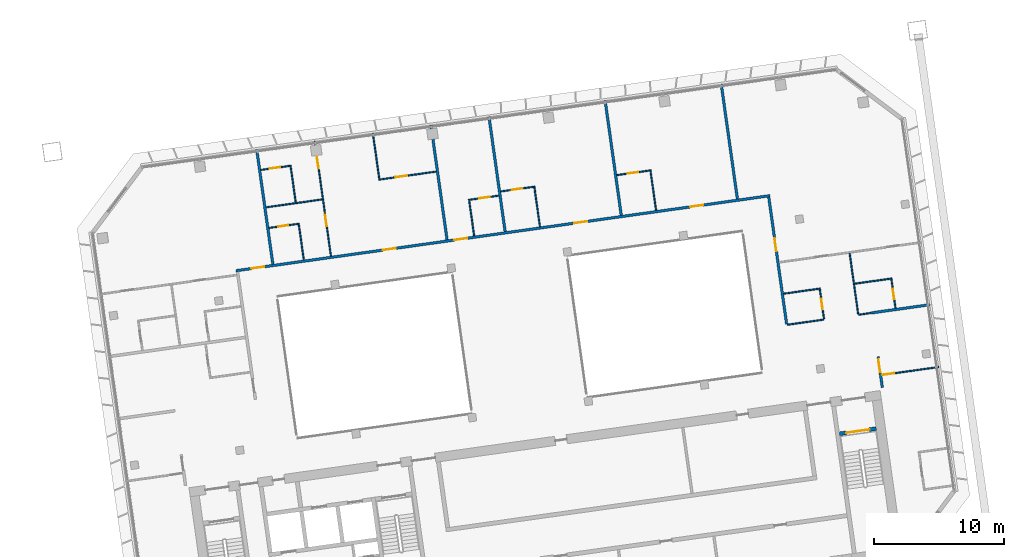
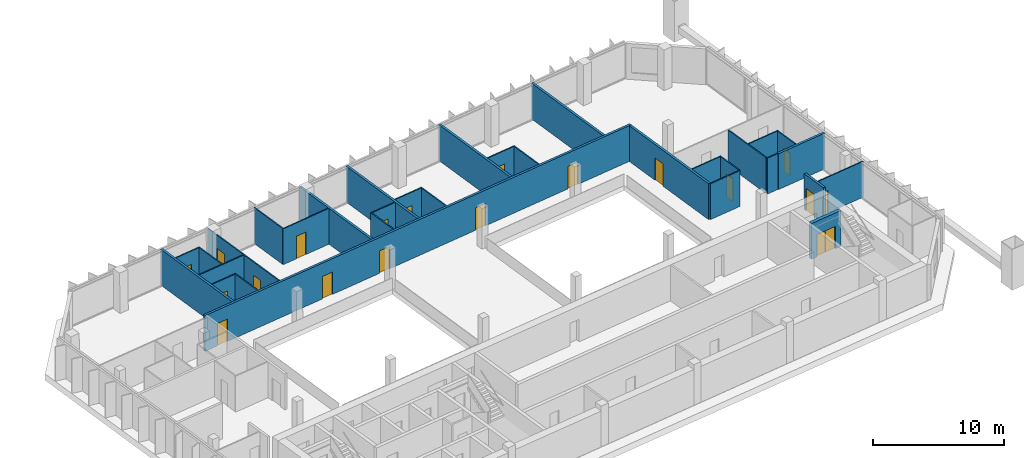
# One storey, part 23 of 31: 32 walls, 19 doors, 19 openings.
"""IFC4 building model written with IfcOpenShell, lengths in metres."""

from ifc_helpers import new_model, si_unit, direction, frame, frame_2d, origin, place, context, subcontext, project, spatial, rectangle, extrude, material, layer, layer_set, type_object, element, fill, save


model = new_model("IFC4")

# Units and contexts
model_context = context("Model", 3, precision=1e-05, world=origin(), true_north=direction((0.0, 1.0)))
body_context = subcontext(model_context, "Body", "Model", "MODEL_VIEW")
ifc_project = project(units=[si_unit("LENGTHUNIT", "METRE"), si_unit("AREAUNIT", "SQUARE_METRE"), si_unit("VOLUMEUNIT", "CUBIC_METRE"), si_unit("PLANEANGLEUNIT", "RADIAN"), si_unit("MASSUNIT", "GRAM", prefix="KILO")], contexts=[model_context])

# Site, building, storey
site_placement = place(None, origin())
site = spatial("IfcSite", under=ifc_project, at=site_placement, CompositionType="ELEMENT")
building_placement = place(site_placement, origin())
building = spatial("IfcBuilding", under=site, at=building_placement, Name="Mirante Cascada Hotel Towers", CompositionType="ELEMENT")
storey_placement = place(building_placement, frame((0.0, 0.0, 157.4)))
storey = spatial("IfcBuildingStorey", under=building, at=storey_placement, Name="L36", CompositionType="ELEMENT", Elevation=157.4)

# Wall
ifc_material_1 = material(Name="Fire-rated plasterboard on metal studs")
ifc_layer_1 = layer(ifc_material_1, 0.2)
ifc_layer_set_1 = layer_set([ifc_layer_1], Name="Compartment wall 200 EI 120")
wall_type_1 = type_object("IfcWallType", Name="Compartment wall 200 EI 120", PredefinedType="PARTITIONING", material=ifc_layer_set_1)
wall_1_placement = place(storey_placement, frame((92.3869, 6.7679, 0.0), z_axis=(0.0, 0.0, 1.0), x_axis=(-0.9902674, -0.1391779, 0.0)))
element("IfcWall", 1, at=wall_1_placement, inside=storey, type_object=wall_type_1, Name="Wall 2-L36-10", PredefinedType="PARTITIONING", context=body_context, shape_type="SweptSolid", body=[
    extrude(rectangle(XDim=4.5, YDim=0.2, at=frame_2d((2.25, 0.0))), origin(), (0.0, 0.0, 1.0), 3.35),
])

# Wall, openings, doors
wall_2_placement = place(storey_placement, frame((39.1051, 9.3779, 0.0), z_axis=(0.0, 0.0, 1.0), x_axis=(0.990268, 0.1391739, 0.0)))
wall_2 = element("IfcWall", 2, at=wall_2_placement, inside=storey, type_object=wall_type_1, Name="Wall 2-L36-19", PredefinedType="PARTITIONING", context=body_context, shape_type="SweptSolid", body=[
    extrude(rectangle(XDim=41.4, YDim=0.2, at=frame_2d((20.7, 0.0))), origin(), (0.0, 0.0, 1.0), 3.35),
])
opening_1_placement = place(wall_2_placement, frame((1.1851, 0.0, 0.0)))
opening_1 = element("IfcOpeningElement", 3, at=opening_1_placement, cuts=wall_2, Name="Opening D2-L36-07", PredefinedType="OPENING", context=body_context, shape_type="SweptSolid", body=[
    extrude(rectangle(XDim=1.0, YDim=2.1, at=frame_2d((0.5, 1.05))), frame((0.0, 0.1, 0.0), z_axis=(0.0, -1.0, 0.0), x_axis=(1.0, 0.0, 0.0)), (0.0, 0.0, 1.0), 0.2),
])
opening_2_placement = place(wall_2_placement, frame((11.3762, 0.0, 0.0)))
opening_2 = element("IfcOpeningElement", 4, at=opening_2_placement, cuts=wall_2, Name="Opening D2-L36-08", PredefinedType="OPENING", context=body_context, shape_type="SweptSolid", body=[
    extrude(rectangle(XDim=1.0, YDim=2.1, at=frame_2d((0.5, 1.05))), frame((0.0, 0.1, 0.0), z_axis=(0.0, -1.0, 0.0), x_axis=(1.0, 0.0, 0.0)), (0.0, 0.0, 1.0), 0.2),
])
opening_3_placement = place(wall_2_placement, frame((16.9306, 0.0, 0.0)))
opening_3 = element("IfcOpeningElement", 5, at=opening_3_placement, cuts=wall_2, Name="Opening D2-L36-09", PredefinedType="OPENING", context=body_context, shape_type="SweptSolid", body=[
    extrude(rectangle(XDim=1.0, YDim=2.1, at=frame_2d((0.5, 1.05))), frame((0.0, 0.1, 0.0), z_axis=(0.0, -1.0, 0.0), x_axis=(1.0, 0.0, 0.0)), (0.0, 0.0, 1.0), 0.2),
])
opening_4_placement = place(wall_2_placement, frame((26.2351, 0.0, 0.0)))
opening_4 = element("IfcOpeningElement", 6, at=opening_4_placement, cuts=wall_2, Name="Opening D2-L36-10", PredefinedType="OPENING", context=body_context, shape_type="SweptSolid", body=[
    extrude(rectangle(XDim=1.0, YDim=2.1, at=frame_2d((0.5, 1.05))), frame((0.0, 0.1, 0.0), z_axis=(0.0, -1.0, 0.0), x_axis=(1.0, 0.0, 0.0)), (0.0, 0.0, 1.0), 0.2),
])
opening_5_placement = place(wall_2_placement, frame((35.241, 0.0, 0.0)))
opening_5 = element("IfcOpeningElement", 7, at=opening_5_placement, cuts=wall_2, Name="Opening D2-L36-11", PredefinedType="OPENING", context=body_context, shape_type="SweptSolid", body=[
    extrude(rectangle(XDim=1.0, YDim=2.1, at=frame_2d((0.5, 1.05))), frame((0.0, 0.1, 0.0), z_axis=(0.0, -1.0, 0.0), x_axis=(1.0, 0.0, 0.0)), (0.0, 0.0, 1.0), 0.2),
])
ifc_material_2 = material(Name="Fire-rated timber door leaf", Category="wood")
door_type_1 = type_object("IfcDoorType", Name="Entrance door DG1 1000x2100 EI 60", OperationType="SINGLE_SWING_LEFT", PredefinedType="DOOR", material=ifc_material_2)
door_1_placement = place(opening_1_placement, origin())
door_1 = element("IfcDoor", 8, at=door_1_placement, inside=storey, type_object=door_type_1, Name="Door D2-L36-07", OperationType="SINGLE_SWING_LEFT", OverallHeight=2.1, OverallWidth=1.0, PredefinedType="DOOR", context=body_context, shape_type="SweptSolid", body=[
    extrude(rectangle(XDim=1.0, YDim=2.1, at=frame_2d((0.5, 1.05))), frame((0.0, 0.025, 0.0), z_axis=(0.0, -1.0, 0.0), x_axis=(1.0, 0.0, 0.0)), (0.0, 0.0, 1.0), 0.05),
])
fill(opening_1, door_1)
door_2_placement = place(opening_2_placement, origin())
door_2 = element("IfcDoor", 9, at=door_2_placement, inside=storey, type_object=door_type_1, Name="Door D2-L36-08", OperationType="SINGLE_SWING_LEFT", OverallHeight=2.1, OverallWidth=1.0, PredefinedType="DOOR", context=body_context, shape_type="SweptSolid", body=[
    extrude(rectangle(XDim=1.0, YDim=2.1, at=frame_2d((0.5, 1.05))), frame((0.0, 0.025, 0.0), z_axis=(0.0, -1.0, 0.0), x_axis=(1.0, 0.0, 0.0)), (0.0, 0.0, 1.0), 0.05),
])
fill(opening_2, door_2)
door_3_placement = place(opening_3_placement, origin())
door_3 = element("IfcDoor", 10, at=door_3_placement, inside=storey, type_object=door_type_1, Name="Door D2-L36-09", OperationType="SINGLE_SWING_LEFT", OverallHeight=2.1, OverallWidth=1.0, PredefinedType="DOOR", context=body_context, shape_type="SweptSolid", body=[
    extrude(rectangle(XDim=1.0, YDim=2.1, at=frame_2d((0.5, 1.05))), frame((0.0, 0.025, 0.0), z_axis=(0.0, -1.0, 0.0), x_axis=(1.0, 0.0, 0.0)), (0.0, 0.0, 1.0), 0.05),
])
fill(opening_3, door_3)
door_4_placement = place(opening_4_placement, origin())
door_4 = element("IfcDoor", 11, at=door_4_placement, inside=storey, type_object=door_type_1, Name="Door D2-L36-10", OperationType="SINGLE_SWING_LEFT", OverallHeight=2.1, OverallWidth=1.0, PredefinedType="DOOR", context=body_context, shape_type="SweptSolid", body=[
    extrude(rectangle(XDim=1.0, YDim=2.1, at=frame_2d((0.5, 1.05))), frame((0.0, 0.025, 0.0), z_axis=(0.0, -1.0, 0.0), x_axis=(1.0, 0.0, 0.0)), (0.0, 0.0, 1.0), 0.05),
])
fill(opening_4, door_4)
door_5_placement = place(opening_5_placement, origin())
door_5 = element("IfcDoor", 12, at=door_5_placement, inside=storey, type_object=door_type_1, Name="Door D2-L36-11", OperationType="SINGLE_SWING_LEFT", OverallHeight=2.1, OverallWidth=1.0, PredefinedType="DOOR", context=body_context, shape_type="SweptSolid", body=[
    extrude(rectangle(XDim=1.0, YDim=2.1, at=frame_2d((0.5, 1.05))), frame((0.0, 0.025, 0.0), z_axis=(0.0, -1.0, 0.0), x_axis=(1.0, 0.0, 0.0)), (0.0, 0.0, 1.0), 0.05),
])
fill(opening_5, door_5)

# Walls
for number, where, z_axis, x_axis, name in (
    (13, (40.6948, 18.6898, 0.0), (0.0, 0.0, 1.0), (0.1391794, -0.9902672, 0.0), "Wall 2-L36-34"),
    (14, (55.311, 11.7565, 0.0), (0.0, 0.0, 1.0), (-0.1391684, 0.9902687, 0.0), "Wall 2-L36-39"),
    (15, (59.7701, 12.3832, 0.0), (0.0, 0.0, 1.0), (-0.1391794, 0.9902672, 0.0), "Wall 2-L36-41"),
):
    element("IfcWall", number, at=place(storey_placement, frame(where, z_axis=z_axis, x_axis=x_axis)), inside=storey, type_object=wall_type_1, Name=name, PredefinedType="PARTITIONING", context=body_context, shape_type="SweptSolid", body=[
        extrude(rectangle(XDim=8.9, YDim=0.2, at=frame_2d((4.45, 0.0))), origin(), (0.0, 0.0, 1.0), 3.35),
    ])
wall_3_placement = place(storey_placement, frame((68.6884, 13.6366, 0.0), z_axis=(0.0, 0.0, 1.0), x_axis=(-0.13917, 0.9902685, 0.0)))
element("IfcWall", 16, at=wall_3_placement, inside=storey, type_object=wall_type_1, Name="Wall 2-L36-43", PredefinedType="PARTITIONING", context=body_context, shape_type="SweptSolid", body=[
    extrude(rectangle(XDim=8.8999, YDim=0.2, at=frame_2d((4.45, 0.0))), origin(), (0.0, 0.0, 1.0), 3.35),
])
wall_4_placement = place(storey_placement, frame((77.6067, 14.8899, 0.0), z_axis=(0.0, 0.0, 1.0), x_axis=(-0.1391794, 0.9902672, 0.0)))
element("IfcWall", 17, at=wall_4_placement, inside=storey, type_object=wall_type_1, Name="Wall 2-L36-45", PredefinedType="PARTITIONING", context=body_context, shape_type="SweptSolid", body=[
    extrude(rectangle(XDim=8.9, YDim=0.2, at=frame_2d((4.45, 0.0))), origin(), (0.0, 0.0, 1.0), 3.35),
])

# Wall, opening, door
wall_5_placement = place(storey_placement, frame((80.0171, 15.0267, 0.0), z_axis=(0.0, 0.0, 1.0), x_axis=(0.1391781, -0.9902674, 0.0)))
wall_5 = element("IfcWall", 18, at=wall_5_placement, inside=storey, type_object=wall_type_1, Name="Wall 2-L36-46", PredefinedType="PARTITIONING", context=body_context, shape_type="SweptSolid", body=[
    extrude(rectangle(XDim=9.85, YDim=0.2, at=frame_2d((4.925, 0.0))), origin(), (0.0, 0.0, 1.0), 3.35),
])
opening_6_placement = place(wall_5_placement, frame((3.1834, 0.0, 0.0)))
opening_6 = element("IfcOpeningElement", 19, at=opening_6_placement, cuts=wall_5, Name="Opening D2-L36-26", PredefinedType="OPENING", context=body_context, shape_type="SweptSolid", body=[
    extrude(rectangle(XDim=1.0, YDim=2.1, at=frame_2d((0.5, 1.05))), frame((0.0, 0.1, 0.0), z_axis=(0.0, -1.0, 0.0), x_axis=(1.0, 0.0, 0.0)), (0.0, 0.0, 1.0), 0.2),
])
door_6_placement = place(opening_6_placement, origin())
door_6 = element("IfcDoor", 20, at=door_6_placement, inside=storey, type_object=door_type_1, Name="Door D2-L36-26", OperationType="SINGLE_SWING_LEFT", OverallHeight=2.1, OverallWidth=1.0, PredefinedType="DOOR", context=body_context, shape_type="SweptSolid", body=[
    extrude(rectangle(XDim=1.0, YDim=2.1, at=frame_2d((0.5, 1.05))), frame((0.0, 0.025, 0.0), z_axis=(0.0, -1.0, 0.0), x_axis=(1.0, 0.0, 0.0)), (0.0, 0.0, 1.0), 0.05),
])
fill(opening_6, door_6)

wall_6_placement = place(storey_placement, frame((88.7379, 0.3981, 0.0), z_axis=(0.0, 0.0, 1.0), x_axis=(-0.1391693, 0.9902686, 0.0)))
wall_6 = element("IfcWall", 21, at=wall_6_placement, inside=storey, type_object=wall_type_1, Name="Wall 2-L36-49", PredefinedType="PARTITIONING", context=body_context, shape_type="SweptSolid", body=[
    extrude(rectangle(XDim=2.4, YDim=0.2, at=frame_2d((1.2, 0.0))), origin(), (0.0, 0.0, 1.0), 3.35),
])
opening_7_placement = place(wall_6_placement, frame((1.1833, 0.0, 0.0)))
opening_7 = element("IfcOpeningElement", 22, at=opening_7_placement, cuts=wall_6, Name="Opening D2-L36-28", PredefinedType="OPENING", context=body_context, shape_type="SweptSolid", body=[
    extrude(rectangle(XDim=1.0, YDim=2.1, at=frame_2d((0.5, 1.05))), frame((0.0, 0.1, 0.0), z_axis=(0.0, -1.0, 0.0), x_axis=(1.0, 0.0, 0.0)), (0.0, 0.0, 1.0), 0.2),
])
door_7_placement = place(opening_7_placement, frame((1.0, 0.0, 0.0), z_axis=(0.0, 0.0, 1.0), x_axis=(-1.0, 0.0, 0.0)))
door_7 = element("IfcDoor", 23, at=door_7_placement, inside=storey, type_object=door_type_1, Name="Door D2-L36-28", OperationType="SINGLE_SWING_RIGHT", OverallHeight=2.1, OverallWidth=1.0, PredefinedType="DOOR", context=body_context, shape_type="SweptSolid", body=[
    extrude(rectangle(XDim=1.0, YDim=2.1, at=frame_2d((0.5, 1.05))), frame((0.0, 0.025, 0.0), z_axis=(0.0, -1.0, 0.0), x_axis=(1.0, 0.0, 0.0)), (0.0, 0.0, 1.0), 0.05),
])
fill(opening_7, door_7)

ifc_material_3 = material(Name="Plasterboard on metal studs")
ifc_layer_2 = layer(ifc_material_3, 0.1)
ifc_layer_set_2 = layer_set([ifc_layer_2], Name="Partition 100")
wall_type_2 = type_object("IfcWallType", Name="Partition 100", PredefinedType="PARTITIONING", material=ifc_layer_set_2)
wall_7_placement = place(storey_placement, frame((93.0596, 1.9816, 0.0), z_axis=(0.0, 0.0, 1.0), x_axis=(-0.9902701, -0.1391587, 0.0)))
wall_7 = element("IfcWall", 24, at=wall_7_placement, inside=storey, type_object=wall_type_2, Name="Wall 2-L36-06", PredefinedType="PARTITIONING", context=body_context, shape_type="SweptSolid", body=[
    extrude(rectangle(XDim=4.4, YDim=0.1, at=frame_2d((2.2, 0.0))), origin(), (0.0, 0.0, 1.0), 3.35),
])
opening_8_placement = place(wall_7_placement, frame((3.45, 0.0, 0.0)))
opening_8 = element("IfcOpeningElement", 25, at=opening_8_placement, cuts=wall_7, Name="Opening D2-L36-02", PredefinedType="OPENING", context=body_context, shape_type="SweptSolid", body=[
    extrude(rectangle(XDim=0.9, YDim=2.1, at=frame_2d((0.45, 1.05))), frame((0.0, 0.05, 0.0), z_axis=(0.0, -1.0, 0.0), x_axis=(1.0, 0.0, 0.0)), (0.0, 0.0, 1.0), 0.1),
])
ifc_material_4 = material(Name="Timber door leaf", Category="wood")
door_type_2 = type_object("IfcDoorType", Name="Room door DG3 900x2100", OperationType="SINGLE_SWING_LEFT", PredefinedType="DOOR", material=ifc_material_4)
door_8_placement = place(opening_8_placement, origin())
door_8 = element("IfcDoor", 26, at=door_8_placement, inside=storey, type_object=door_type_2, Name="Door D2-L36-02", OperationType="SINGLE_SWING_LEFT", OverallHeight=2.1, OverallWidth=0.9, PredefinedType="DOOR", context=body_context, shape_type="SweptSolid", body=[
    extrude(rectangle(XDim=0.9, YDim=2.1, at=frame_2d((0.45, 1.05))), frame((0.0, 0.025, 0.0), z_axis=(0.0, -1.0, 0.0), x_axis=(1.0, 0.0, 0.0)), (0.0, 0.0, 1.0), 0.05),
])
fill(opening_8, door_8)

# Walls
wall_8_placement = place(storey_placement, frame((84.237, 5.6225, 0.0), z_axis=(0.0, 0.0, 1.0), x_axis=(-0.9902708, -0.1391534, 0.0)))
element("IfcWall", 27, at=wall_8_placement, inside=storey, type_object=wall_type_2, Name="Wall 2-L36-08", PredefinedType="PARTITIONING", context=body_context, shape_type="SweptSolid", body=[
    extrude(rectangle(XDim=2.84, YDim=0.1, at=frame_2d((1.42, 0.0))), origin(), (0.0, 0.0, 1.0), 3.35),
])
wall_9_placement = place(storey_placement, frame((86.9206, 5.9997, 0.0), z_axis=(0.0, 0.0, 1.0), x_axis=(0.9902662, 0.1391867, 0.0)))
element("IfcWall", 28, at=wall_9_placement, inside=storey, type_object=wall_type_2, Name="Wall 2-L36-09", PredefinedType="PARTITIONING", context=body_context, shape_type="SweptSolid", body=[
    extrude(rectangle(XDim=0.99, YDim=0.1, at=frame_2d((0.495, 0.0))), origin(), (0.0, 0.0, 1.0), 3.35),
])
wall_10_placement = place(storey_placement, frame((83.9822, 8.0103, 0.0), z_axis=(0.0, 0.0, 1.0), x_axis=(-0.9902656, -0.1391909, 0.0)))
element("IfcWall", 29, at=wall_10_placement, inside=storey, type_object=wall_type_2, Name="Wall 2-L36-12", PredefinedType="PARTITIONING", context=body_context, shape_type="SweptSolid", body=[
    extrude(rectangle(XDim=2.85, YDim=0.1, at=frame_2d((1.425, 0.0))), origin(), (0.0, 0.0, 1.0), 3.35),
])
wall_11_placement = place(storey_placement, frame((86.6064, 8.3791, 0.0), z_axis=(0.0, 0.0, 1.0), x_axis=(0.9902683, 0.1391714, 0.0)))
element("IfcWall", 30, at=wall_11_placement, inside=storey, type_object=wall_type_2, Name="Wall 2-L36-13", PredefinedType="PARTITIONING", context=body_context, shape_type="SweptSolid", body=[
    extrude(rectangle(XDim=2.9, YDim=0.1, at=frame_2d((1.45, 0.0))), origin(), (0.0, 0.0, 1.0), 3.35),
])

# Wall, opening, door
wall_12_placement = place(storey_placement, frame((43.8709, 12.9762, 0.0), z_axis=(0.0, 0.0, 1.0), x_axis=(-0.9902705, -0.1391561, 0.0)))
wall_12 = element("IfcWall", 31, at=wall_12_placement, inside=storey, type_object=wall_type_2, Name="Wall 2-L36-20", PredefinedType="PARTITIONING", context=body_context, shape_type="SweptSolid", body=[
    extrude(rectangle(XDim=2.25, YDim=0.1, at=frame_2d((1.125, 0.0))), origin(), (0.0, 0.0, 1.0), 3.35),
])
opening_9_placement = place(wall_12_placement, frame((0.75, 0.0, 0.0)))
opening_9 = element("IfcOpeningElement", 32, at=opening_9_placement, cuts=wall_12, Name="Opening D2-L36-12", PredefinedType="OPENING", context=body_context, shape_type="SweptSolid", body=[
    extrude(rectangle(XDim=0.8, YDim=2.1, at=frame_2d((0.4, 1.05))), frame((0.0, 0.05, 0.0), z_axis=(0.0, -1.0, 0.0), x_axis=(1.0, 0.0, 0.0)), (0.0, 0.0, 1.0), 0.1),
])
ifc_material_5 = material(Name="Timber door leaf", Category="wood")
door_type_3 = type_object("IfcDoorType", Name="Bathroom door DG4 800x2100", OperationType="SINGLE_SWING_LEFT", PredefinedType="DOOR", material=ifc_material_5)
door_9_placement = place(opening_9_placement, origin())
door_9 = element("IfcDoor", 33, at=door_9_placement, inside=storey, type_object=door_type_3, Name="Door D2-L36-12", OperationType="SINGLE_SWING_LEFT", OverallHeight=2.1, OverallWidth=0.8, PredefinedType="DOOR", context=body_context, shape_type="SweptSolid", body=[
    extrude(rectangle(XDim=0.8, YDim=2.1, at=frame_2d((0.4, 1.05))), frame((0.0, 0.025, 0.0), z_axis=(0.0, -1.0, 0.0), x_axis=(1.0, 0.0, 0.0)), (0.0, 0.0, 1.0), 0.05),
])
fill(opening_9, door_9)

wall_13_placement = place(storey_placement, frame((57.0533, 14.8289, 0.0), z_axis=(0.0, 0.0, 1.0), x_axis=(0.9902705, 0.1391561, 0.0)))
wall_13 = element("IfcWall", 34, at=wall_13_placement, inside=storey, type_object=wall_type_2, Name="Wall 2-L36-21", PredefinedType="PARTITIONING", context=body_context, shape_type="SweptSolid", body=[
    extrude(rectangle(XDim=2.25, YDim=0.1, at=frame_2d((1.125, 0.0))), origin(), (0.0, 0.0, 1.0), 3.35),
])
opening_10_placement = place(wall_13_placement, frame((0.75, 0.0, 0.0)))
opening_10 = element("IfcOpeningElement", 35, at=opening_10_placement, cuts=wall_13, Name="Opening D2-L36-13", PredefinedType="OPENING", context=body_context, shape_type="SweptSolid", body=[
    extrude(rectangle(XDim=0.8, YDim=2.1, at=frame_2d((0.4, 1.05))), frame((0.0, 0.05, 0.0), z_axis=(0.0, -1.0, 0.0), x_axis=(1.0, 0.0, 0.0)), (0.0, 0.0, 1.0), 0.1),
])
door_10_placement = place(opening_10_placement, origin())
door_10 = element("IfcDoor", 36, at=door_10_placement, inside=storey, type_object=door_type_3, Name="Door D2-L36-13", OperationType="SINGLE_SWING_LEFT", OverallHeight=2.1, OverallWidth=0.8, PredefinedType="DOOR", context=body_context, shape_type="SweptSolid", body=[
    extrude(rectangle(XDim=0.8, YDim=2.1, at=frame_2d((0.4, 1.05))), frame((0.0, 0.025, 0.0), z_axis=(0.0, -1.0, 0.0), x_axis=(1.0, 0.0, 0.0)), (0.0, 0.0, 1.0), 0.05),
])
fill(opening_10, door_10)

wall_14_placement = place(storey_placement, frame((61.9628, 15.8218, 0.0), z_axis=(0.0, 0.0, 1.0), x_axis=(-0.990267, -0.1391809, 0.0)))
wall_14 = element("IfcWall", 37, at=wall_14_placement, inside=storey, type_object=wall_type_2, Name="Wall 2-L36-22", PredefinedType="PARTITIONING", context=body_context, shape_type="SweptSolid", body=[
    extrude(rectangle(XDim=2.5499, YDim=0.1, at=frame_2d((1.275, 0.0))), origin(), (0.0, 0.0, 1.0), 3.35),
])
opening_11_placement = place(wall_14_placement, frame((0.9, 0.0, 0.0)))
opening_11 = element("IfcOpeningElement", 38, at=opening_11_placement, cuts=wall_14, Name="Opening D2-L36-14", PredefinedType="OPENING", context=body_context, shape_type="SweptSolid", body=[
    extrude(rectangle(XDim=0.8, YDim=2.1, at=frame_2d((0.4, 1.05))), frame((0.0, 0.05, 0.0), z_axis=(0.0, -1.0, 0.0), x_axis=(1.0, 0.0, 0.0)), (0.0, 0.0, 1.0), 0.1),
])
door_11_placement = place(opening_11_placement, frame((0.8, 0.0, 0.0), z_axis=(0.0, 0.0, 1.0), x_axis=(-1.0, 0.0, 0.0)))
door_11 = element("IfcDoor", 39, at=door_11_placement, inside=storey, type_object=door_type_3, Name="Door D2-L36-14", OperationType="SINGLE_SWING_RIGHT", OverallHeight=2.1, OverallWidth=0.8, PredefinedType="DOOR", context=body_context, shape_type="SweptSolid", body=[
    extrude(rectangle(XDim=0.8, YDim=2.1, at=frame_2d((0.4, 1.05))), frame((0.0, 0.025, 0.0), z_axis=(0.0, -1.0, 0.0), x_axis=(1.0, 0.0, 0.0)), (0.0, 0.0, 1.0), 0.05),
])
fill(opening_11, door_11)

wall_15_placement = place(storey_placement, frame((68.356, 16.7203, 0.0), z_axis=(0.0, 0.0, 1.0), x_axis=(0.9902677, 0.1391755, 0.0)))
wall_15 = element("IfcWall", 40, at=wall_15_placement, inside=storey, type_object=wall_type_2, Name="Wall 2-L36-23", PredefinedType="PARTITIONING", context=body_context, shape_type="SweptSolid", body=[
    extrude(rectangle(XDim=2.55, YDim=0.1, at=frame_2d((1.275, 0.0))), origin(), (0.0, 0.0, 1.0), 3.35),
])
opening_12_placement = place(wall_15_placement, frame((0.85, 0.0, 0.0)))
opening_12 = element("IfcOpeningElement", 41, at=opening_12_placement, cuts=wall_15, Name="Opening D2-L36-15", PredefinedType="OPENING", context=body_context, shape_type="SweptSolid", body=[
    extrude(rectangle(XDim=0.8, YDim=2.1, at=frame_2d((0.4, 1.05))), frame((0.0, 0.05, 0.0), z_axis=(0.0, -1.0, 0.0), x_axis=(1.0, 0.0, 0.0)), (0.0, 0.0, 1.0), 0.1),
])
door_12_placement = place(opening_12_placement, origin())
door_12 = element("IfcDoor", 42, at=door_12_placement, inside=storey, type_object=door_type_3, Name="Door D2-L36-15", OperationType="SINGLE_SWING_LEFT", OverallHeight=2.1, OverallWidth=0.8, PredefinedType="DOOR", context=body_context, shape_type="SweptSolid", body=[
    extrude(rectangle(XDim=0.8, YDim=2.1, at=frame_2d((0.4, 1.05))), frame((0.0, 0.025, 0.0), z_axis=(0.0, -1.0, 0.0), x_axis=(1.0, 0.0, 0.0)), (0.0, 0.0, 1.0), 0.05),
])
fill(opening_12, door_12)

# Wall
wall_16_placement = place(storey_placement, frame((45.7308, 14.8533, 0.0), z_axis=(0.0, 0.0, 1.0), x_axis=(-0.990269, -0.1391665, 0.0)))
element("IfcWall", 43, at=wall_16_placement, inside=storey, type_object=wall_type_2, Name="Wall 2-L36-24", PredefinedType="PARTITIONING", context=body_context, shape_type="SweptSolid", body=[
    extrude(rectangle(XDim=4.3531, YDim=0.1, at=frame_2d((2.1766, 0.0))), origin(), (0.0, 0.0, 1.0), 3.35),
])

# Wall, opening, door
wall_17_placement = place(storey_placement, frame((50.0647, 16.3713, 0.0), z_axis=(0.0, 0.0, 1.0), x_axis=(0.990269, 0.1391667, 0.0)))
wall_17 = element("IfcWall", 44, at=wall_17_placement, inside=storey, type_object=wall_type_2, Name="Wall 2-L36-25", PredefinedType="PARTITIONING", context=body_context, shape_type="SweptSolid", body=[
    extrude(rectangle(XDim=4.4529, YDim=0.1, at=frame_2d((2.2264, 0.0))), origin(), (0.0, 0.0, 1.0), 3.35),
])
opening_13_placement = place(wall_17_placement, frame((1.3003, 0.0, 0.0)))
opening_13 = element("IfcOpeningElement", 45, at=opening_13_placement, cuts=wall_17, Name="Opening D2-L36-16", PredefinedType="OPENING", context=body_context, shape_type="SweptSolid", body=[
    extrude(rectangle(XDim=0.9, YDim=2.1, at=frame_2d((0.45, 1.05))), frame((0.0, 0.05, 0.0), z_axis=(0.0, -1.0, 0.0), x_axis=(1.0, 0.0, 0.0)), (0.0, 0.0, 1.0), 0.1),
])
door_13_placement = place(opening_13_placement, frame((0.9, 0.0, 0.0), z_axis=(0.0, 0.0, 1.0), x_axis=(-1.0, 0.0, 0.0)))
door_13 = element("IfcDoor", 46, at=door_13_placement, inside=storey, type_object=door_type_2, Name="Door D2-L36-16", OperationType="SINGLE_SWING_RIGHT", OverallHeight=2.1, OverallWidth=0.9, PredefinedType="DOOR", context=body_context, shape_type="SweptSolid", body=[
    extrude(rectangle(XDim=0.9, YDim=2.1, at=frame_2d((0.45, 1.05))), frame((0.0, 0.025, 0.0), z_axis=(0.0, -1.0, 0.0), x_axis=(1.0, 0.0, 0.0)), (0.0, 0.0, 1.0), 0.05),
])
fill(opening_13, door_13)

wall_18_placement = place(storey_placement, frame((43.2446, 17.4324, 0.0), z_axis=(0.0, 0.0, 1.0), x_axis=(-0.9902705, -0.1391561, 0.0)))
wall_18 = element("IfcWall", 47, at=wall_18_placement, inside=storey, type_object=wall_type_2, Name="Wall 2-L36-26", PredefinedType="PARTITIONING", context=body_context, shape_type="SweptSolid", body=[
    extrude(rectangle(XDim=2.25, YDim=0.1, at=frame_2d((1.125, 0.0))), origin(), (0.0, 0.0, 1.0), 3.35),
])
opening_14_placement = place(wall_18_placement, frame((0.75, 0.0, 0.0)))
opening_14 = element("IfcOpeningElement", 48, at=opening_14_placement, cuts=wall_18, Name="Opening D2-L36-17", PredefinedType="OPENING", context=body_context, shape_type="SweptSolid", body=[
    extrude(rectangle(XDim=0.8, YDim=2.1, at=frame_2d((0.4, 1.05))), frame((0.0, 0.05, 0.0), z_axis=(0.0, -1.0, 0.0), x_axis=(1.0, 0.0, 0.0)), (0.0, 0.0, 1.0), 0.1),
])
door_14_placement = place(opening_14_placement, origin())
door_14 = element("IfcDoor", 49, at=door_14_placement, inside=storey, type_object=door_type_3, Name="Door D2-L36-17", OperationType="SINGLE_SWING_LEFT", OverallHeight=2.1, OverallWidth=0.8, PredefinedType="DOOR", context=body_context, shape_type="SweptSolid", body=[
    extrude(rectangle(XDim=0.8, YDim=2.1, at=frame_2d((0.4, 1.05))), frame((0.0, 0.025, 0.0), z_axis=(0.0, -1.0, 0.0), x_axis=(1.0, 0.0, 0.0)), (0.0, 0.0, 1.0), 0.05),
])
fill(opening_14, door_14)

# Walls
wall_19_placement = place(storey_placement, frame((44.3101, 10.2104, 0.0), z_axis=(0.0, 0.0, 1.0), x_axis=(-0.1391564, 0.9902704, 0.0)))
element("IfcWall", 50, at=wall_19_placement, inside=storey, type_object=wall_type_2, Name="Wall 2-L36-35", PredefinedType="PARTITIONING", context=body_context, shape_type="SweptSolid", body=[
    extrude(rectangle(XDim=2.85, YDim=0.1, at=frame_2d((1.425, 0.0))), origin(), (0.0, 0.0, 1.0), 3.35),
])
wall_20_placement = place(storey_placement, frame((43.2872, 17.4889, 0.0), z_axis=(0.0, 0.0, 1.0), x_axis=(0.1391714, -0.9902683, 0.0)))
element("IfcWall", 51, at=wall_20_placement, inside=storey, type_object=wall_type_2, Name="Wall 2-L36-36", PredefinedType="PARTITIONING", context=body_context, shape_type="SweptSolid", body=[
    extrude(rectangle(XDim=2.9, YDim=0.1, at=frame_2d((1.45, 0.0))), origin(), (0.0, 0.0, 1.0), 3.35),
])

# Wall, openings, doors
wall_21_placement = place(storey_placement, frame((46.3926, 10.5031, 0.0), z_axis=(0.0, 0.0, 1.0), x_axis=(-0.1391684, 0.9902687, 0.0)))
wall_21 = element("IfcWall", 52, at=wall_21_placement, inside=storey, type_object=wall_type_2, Name="Wall 2-L36-37", PredefinedType="PARTITIONING", context=body_context, shape_type="SweptSolid", body=[
    extrude(rectangle(XDim=8.9, YDim=0.1, at=frame_2d((4.45, 0.0))), origin(), (0.0, 0.0, 1.0), 3.35),
])
opening_15_placement = place(wall_21_placement, frame((2.3, 0.0, 0.0)))
opening_15 = element("IfcOpeningElement", 53, at=opening_15_placement, cuts=wall_21, Name="Opening D2-L36-24", PredefinedType="OPENING", context=body_context, shape_type="SweptSolid", body=[
    extrude(rectangle(XDim=0.9, YDim=2.1, at=frame_2d((0.45, 1.05))), frame((0.0, 0.05, 0.0), z_axis=(0.0, -1.0, 0.0), x_axis=(1.0, 0.0, 0.0)), (0.0, 0.0, 1.0), 0.1),
])
opening_16_placement = place(wall_21_placement, frame((6.8, 0.0, 0.0)))
opening_16 = element("IfcOpeningElement", 54, at=opening_16_placement, cuts=wall_21, Name="Opening D2-L36-25", PredefinedType="OPENING", context=body_context, shape_type="SweptSolid", body=[
    extrude(rectangle(XDim=0.9, YDim=2.1, at=frame_2d((0.45, 1.05))), frame((0.0, 0.05, 0.0), z_axis=(0.0, -1.0, 0.0), x_axis=(1.0, 0.0, 0.0)), (0.0, 0.0, 1.0), 0.1),
])
door_15_placement = place(opening_15_placement, frame((0.9, 0.0, 0.0), z_axis=(0.0, 0.0, 1.0), x_axis=(-1.0, 0.0, 0.0)))
door_15 = element("IfcDoor", 55, at=door_15_placement, inside=storey, type_object=door_type_2, Name="Door D2-L36-24", OperationType="SINGLE_SWING_RIGHT", OverallHeight=2.1, OverallWidth=0.9, PredefinedType="DOOR", context=body_context, shape_type="SweptSolid", body=[
    extrude(rectangle(XDim=0.9, YDim=2.1, at=frame_2d((0.45, 1.05))), frame((0.0, 0.025, 0.0), z_axis=(0.0, -1.0, 0.0), x_axis=(1.0, 0.0, 0.0)), (0.0, 0.0, 1.0), 0.05),
])
fill(opening_15, door_15)
door_16_placement = place(opening_16_placement, frame((0.9, 0.0, 0.0), z_axis=(0.0, 0.0, 1.0), x_axis=(-1.0, 0.0, 0.0)))
door_16 = element("IfcDoor", 56, at=door_16_placement, inside=storey, type_object=door_type_2, Name="Door D2-L36-25", OperationType="SINGLE_SWING_RIGHT", OverallHeight=2.1, OverallWidth=0.9, PredefinedType="DOOR", context=body_context, shape_type="SweptSolid", body=[
    extrude(rectangle(XDim=0.9, YDim=2.1, at=frame_2d((0.45, 1.05))), frame((0.0, 0.025, 0.0), z_axis=(0.0, -1.0, 0.0), x_axis=(1.0, 0.0, 0.0)), (0.0, 0.0, 1.0), 0.05),
])
fill(opening_16, door_16)

# Walls
wall_22_placement = place(storey_placement, frame((49.6132, 19.9432, 0.0), z_axis=(0.0, 0.0, 1.0), x_axis=(0.1391534, -0.9902708, 0.0)))
element("IfcWall", 57, at=wall_22_placement, inside=storey, type_object=wall_type_2, Name="Wall 2-L36-38", PredefinedType="PARTITIONING", context=body_context, shape_type="SweptSolid", body=[
    extrude(rectangle(XDim=3.55, YDim=0.1, at=frame_2d((1.775, 0.0))), origin(), (0.0, 0.0, 1.0), 3.35),
])
wall_23_placement = place(storey_placement, frame((56.9968, 14.8714, 0.0), z_axis=(0.0, 0.0, 1.0), x_axis=(0.1391613, -0.9902697, 0.0)))
element("IfcWall", 58, at=wall_23_placement, inside=storey, type_object=wall_type_2, Name="Wall 2-L36-40", PredefinedType="PARTITIONING", context=body_context, shape_type="SweptSolid", body=[
    extrude(rectangle(XDim=2.8499, YDim=0.1, at=frame_2d((1.425, 0.0))), origin(), (0.0, 0.0, 1.0), 3.35),
])
wall_24_placement = place(storey_placement, frame((62.0054, 15.8783, 0.0), z_axis=(0.0, 0.0, 1.0), x_axis=(0.1391721, -0.9902682, 0.0)))
element("IfcWall", 59, at=wall_24_placement, inside=storey, type_object=wall_type_2, Name="Wall 2-L36-42", PredefinedType="PARTITIONING", context=body_context, shape_type="SweptSolid", body=[
    extrude(rectangle(XDim=3.1501, YDim=0.1, at=frame_2d((1.575, 0.0))), origin(), (0.0, 0.0, 1.0), 3.35),
])
wall_25_placement = place(storey_placement, frame((70.9238, 17.1317, 0.0), z_axis=(0.0, 0.0, 1.0), x_axis=(0.139141, -0.9902726, 0.0)))
element("IfcWall", 60, at=wall_25_placement, inside=storey, type_object=wall_type_2, Name="Wall 2-L36-44", PredefinedType="PARTITIONING", context=body_context, shape_type="SweptSolid", body=[
    extrude(rectangle(XDim=3.15, YDim=0.1, at=frame_2d((1.575, 0.0))), origin(), (0.0, 0.0, 1.0), 3.35),
])

# Wall, opening, door
wall_26_placement = place(storey_placement, frame((84.2597, 5.6762, 0.0), z_axis=(0.0, 0.0, 1.0), x_axis=(-0.1391749, 0.9902678, 0.0)))
wall_26 = element("IfcWall", 61, at=wall_26_placement, inside=storey, type_object=wall_type_2, Name="Wall 2-L36-47", PredefinedType="PARTITIONING", context=body_context, shape_type="SweptSolid", body=[
    extrude(rectangle(XDim=2.3, YDim=0.1, at=frame_2d((1.15, 0.0))), origin(), (0.0, 0.0, 1.0), 3.35),
])
opening_17_placement = place(wall_26_placement, frame((0.75, 0.0, 0.0)))
opening_17 = element("IfcOpeningElement", 62, at=opening_17_placement, cuts=wall_26, Name="Opening D2-L36-27", PredefinedType="OPENING", context=body_context, shape_type="SweptSolid", body=[
    extrude(rectangle(XDim=0.8, YDim=2.1, at=frame_2d((0.4, 1.05))), frame((0.0, 0.05, 0.0), z_axis=(0.0, -1.0, 0.0), x_axis=(1.0, 0.0, 0.0)), (0.0, 0.0, 1.0), 0.1),
])
door_17_placement = place(opening_17_placement, origin())
door_17 = element("IfcDoor", 63, at=door_17_placement, inside=storey, type_object=door_type_3, Name="Door D2-L36-27", OperationType="SINGLE_SWING_LEFT", OverallHeight=2.1, OverallWidth=0.8, PredefinedType="DOOR", context=body_context, shape_type="SweptSolid", body=[
    extrude(rectangle(XDim=0.8, YDim=2.1, at=frame_2d((0.4, 1.05))), frame((0.0, 0.025, 0.0), z_axis=(0.0, -1.0, 0.0), x_axis=(1.0, 0.0, 0.0)), (0.0, 0.0, 1.0), 0.05),
])
fill(opening_17, door_17)

# Wall
wall_27_placement = place(storey_placement, frame((86.2252, 10.7322, 0.0), z_axis=(0.0, 0.0, 1.0), x_axis=(0.1391642, -0.9902693, 0.0)))
element("IfcWall", 64, at=wall_27_placement, inside=storey, type_object=wall_type_2, Name="Wall 2-L36-48", PredefinedType="PARTITIONING", context=body_context, shape_type="SweptSolid", body=[
    extrude(rectangle(XDim=4.7333, YDim=0.1, at=frame_2d((2.3666, 0.0))), origin(), (0.0, 0.0, 1.0), 3.35),
])

# Wall, opening, door
wall_28_placement = place(storey_placement, frame((89.4356, 8.7262, 0.0), z_axis=(0.0, 0.0, 1.0), x_axis=(0.1391997, -0.9902643, 0.0)))
wall_28 = element("IfcWall", 65, at=wall_28_placement, inside=storey, type_object=wall_type_2, Name="Wall 2-L36-50", PredefinedType="PARTITIONING", context=body_context, shape_type="SweptSolid", body=[
    extrude(rectangle(XDim=2.25, YDim=0.1, at=frame_2d((1.125, 0.0))), origin(), (0.0, 0.0, 1.0), 3.35),
])
opening_18_placement = place(wall_28_placement, frame((0.75, 0.0, 0.0)))
opening_18 = element("IfcOpeningElement", 66, at=opening_18_placement, cuts=wall_28, Name="Opening D2-L36-29", PredefinedType="OPENING", context=body_context, shape_type="SweptSolid", body=[
    extrude(rectangle(XDim=0.8, YDim=2.1, at=frame_2d((0.4, 1.05))), frame((0.0, 0.05, 0.0), z_axis=(0.0, -1.0, 0.0), x_axis=(1.0, 0.0, 0.0)), (0.0, 0.0, 1.0), 0.1),
])
door_18_placement = place(opening_18_placement, frame((0.8, 0.0, 0.0), z_axis=(0.0, 0.0, 1.0), x_axis=(-1.0, 0.0, 0.0)))
door_18 = element("IfcDoor", 67, at=door_18_placement, inside=storey, type_object=door_type_3, Name="Door D2-L36-29", OperationType="SINGLE_SWING_RIGHT", OverallHeight=2.1, OverallWidth=0.8, PredefinedType="DOOR", context=body_context, shape_type="SweptSolid", body=[
    extrude(rectangle(XDim=0.8, YDim=2.1, at=frame_2d((0.4, 1.05))), frame((0.0, 0.025, 0.0), z_axis=(0.0, -1.0, 0.0), x_axis=(1.0, 0.0, 0.0)), (0.0, 0.0, 1.0), 0.05),
])
fill(opening_18, door_18)

ifc_material_6 = material(Name="Concrete C50/60", Category="concrete")
ifc_layer_3 = layer(ifc_material_6, 0.3)
ifc_layer_set_3 = layer_set([ifc_layer_3], Name="RC core wall 300 C50/60")
wall_type_3 = type_object("IfcWallType", Name="RC core wall 300 C50/60", PredefinedType="SHEAR", material=ifc_layer_set_3)
wall_29_placement = place(storey_placement, frame((85.4489, -3.1441, 0.0), z_axis=(0.0, 0.0, 1.0), x_axis=(0.9902697, 0.1391613, 0.0)))
wall_29 = element("IfcWall", 68, at=wall_29_placement, inside=storey, type_object=wall_type_3, Name="Core wall T2:L36:11", PredefinedType="SHEAR", context=body_context, shape_type="SweptSolid", body=[
    extrude(rectangle(XDim=2.8499, YDim=0.3, at=frame_2d((1.425, 0.0))), origin(), (0.0, 0.0, 1.0), 3.35),
])
opening_19_placement = place(wall_29_placement, frame((0.525, 0.0, 0.0)))
opening_19 = element("IfcOpeningElement", 69, at=opening_19_placement, cuts=wall_29, Name="Opening D2-36-C11", PredefinedType="OPENING", context=body_context, shape_type="SweptSolid", body=[
    extrude(rectangle(XDim=1.8, YDim=2.1, at=frame_2d((0.9, 1.05))), frame((0.0, 0.15, 0.0), z_axis=(0.0, -1.0, 0.0), x_axis=(1.0, 0.0, 0.0)), (0.0, 0.0, 1.0), 0.3),
])
ifc_material_7 = material(Name="Hollow metal fire door leaf")
door_type_4 = type_object("IfcDoorType", Name="Double fire door 1800x2100 FD60", OperationType="DOUBLE_DOOR_SINGLE_SWING", PredefinedType="DOOR", material=ifc_material_7)
door_19_placement = place(opening_19_placement, frame((1.8, 0.0, 0.0), z_axis=(0.0, 0.0, 1.0), x_axis=(-1.0, 0.0, 0.0)))
door_19 = element("IfcDoor", 70, at=door_19_placement, inside=storey, type_object=door_type_4, Name="Stair door T2 L36 11", OperationType="DOUBLE_DOOR_SINGLE_SWING", OverallHeight=2.1, OverallWidth=1.8, PredefinedType="DOOR", context=body_context, shape_type="SweptSolid", body=[
    extrude(rectangle(XDim=0.895, YDim=2.1, at=frame_2d((0.4475, 1.05))), frame((0.0, 0.025, 0.0), z_axis=(0.0, -1.0, 0.0), x_axis=(1.0, 0.0, 0.0)), (0.0, 0.0, 1.0), 0.05),
    extrude(rectangle(XDim=0.895, YDim=2.1, at=frame_2d((1.3525, 1.05))), frame((0.0, 0.025, 0.0), z_axis=(0.0, -1.0, 0.0), x_axis=(1.0, 0.0, 0.0)), (0.0, 0.0, 1.0), 0.05),
])
fill(opening_19, door_19)

save(model, "model.ifc")
